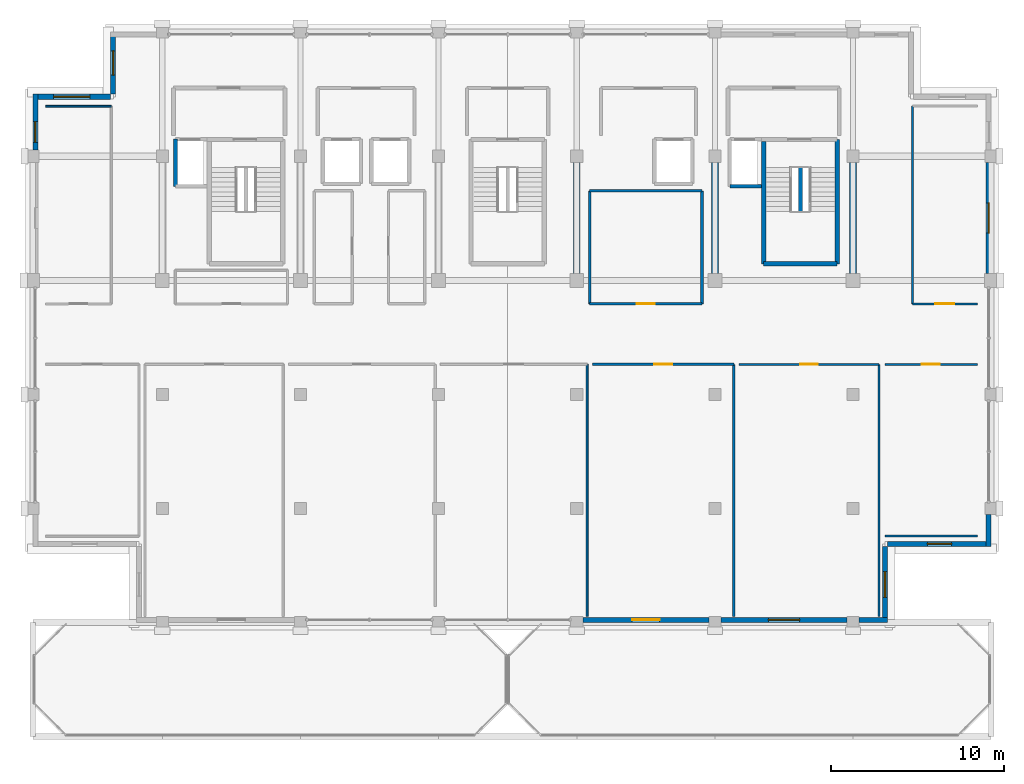
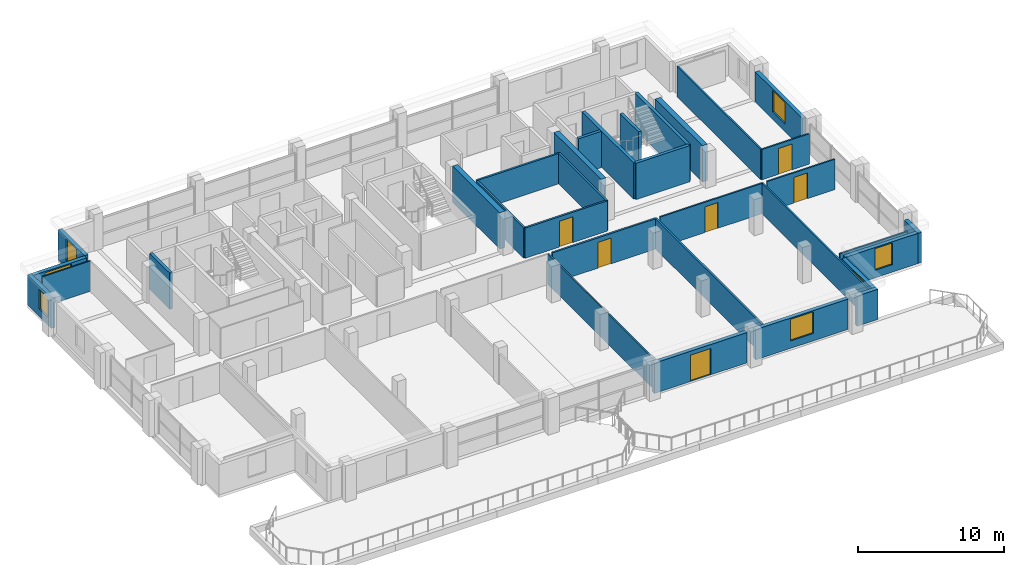
# One storey, part 17 of 21: 33 walls, 7 windows, 6 doors, 13 openings.
"""IFC4 building model written with IfcOpenShell, lengths in metres."""

from ifc_helpers import new_model, si_unit, direction, frame, frame_2d, origin, place, context, subcontext, project, spatial, rectangle, extrude, material, layer, layer_set, type_object, element, fill, save


model = new_model("IFC4")

# Units and contexts
model_context = context("Model", 3, precision=1e-05, world=origin(), true_north=direction((0.0, 1.0)))
body_context = subcontext(model_context, "Body", "Model", "MODEL_VIEW")
ifc_project = project(units=[si_unit("LENGTHUNIT", "METRE"), si_unit("AREAUNIT", "SQUARE_METRE"), si_unit("VOLUMEUNIT", "CUBIC_METRE"), si_unit("PLANEANGLEUNIT", "RADIAN"), si_unit("MASSUNIT", "GRAM", prefix="KILO")], contexts=[model_context])

# Site, building, storey
site_placement = place(None, origin())
site = spatial("IfcSite", under=ifc_project, at=site_placement, CompositionType="ELEMENT")
building_placement = place(site_placement, origin())
building = spatial("IfcBuilding", under=site, at=building_placement, Name="Akrevak Sports Hall", CompositionType="ELEMENT")
storey_placement = place(building_placement, frame((0.0, 0.0, 53.550048828125)))
storey = spatial("IfcBuildingStorey", under=building, at=storey_placement, Name="L13", CompositionType="ELEMENT", Elevation=53.550048828125)

# Wall, opening, door
ifc_material_1 = material(Name="Limestone Ashlar", Category="stone")
ifc_layer_1 = layer(ifc_material_1, 0.06005859375, Name="Limestone Ashlar")
ifc_material_2 = material(Name="Mineral Wool Thermal Insulation", Category="insulation")
ifc_layer_2 = layer(ifc_material_2, 0.090087890625, Name="Mineral Wool Thermal Insulation")
ifc_material_3 = material(Name="Concrete C40/50", Category="concrete")
ifc_layer_3 = layer(ifc_material_3, 0.14990234375, Name="Concrete C40/50")
ifc_layer_set_1 = layer_set([ifc_layer_1, ifc_layer_2, ifc_layer_3], Name="Limestone Ashlar / Mineral Wool Thermal Insulation / Concrete C40/50")
wall_type_1 = type_object("IfcWallType", Name="ARC-WL-EXT-300", PredefinedType="SOLIDWALL", material=ifc_layer_set_1)
wall_1_placement = place(storey_placement, frame((84.35009765625, 35.550048828125, 0.0), z_axis=(0.0, 0.0, 1.0), x_axis=(1.0, 0.0, 0.0)))
wall_1 = element("IfcWall", 1, at=wall_1_placement, inside=storey, type_object=wall_type_1, Name="Tower Stone Facade Wall L13-S05", PredefinedType="SOLIDWALL", context=body_context, shape_type="SweptSolid", body=[
    extrude(rectangle(XDim=7.2998046875, YDim=0.300048828125, at=frame_2d((3.64990234375, 0.0))), origin(), (0.0, 0.0, 1.0), 2.530029296875),
])
opening_1_placement = place(wall_1_placement, frame((2.85009765625, 0.0, 0.0)))
opening_1 = element("IfcOpeningElement", 2, at=opening_1_placement, cuts=wall_1, Name="Opening TD-02", PredefinedType="OPENING", context=body_context, shape_type="SweptSolid", body=[
    extrude(rectangle(XDim=1.60009765625, YDim=2.199951171875, at=frame_2d((0.800048828125, 1.10009765625))), frame((0.0, 0.162109375, 0.0), z_axis=(0.0, -1.0, 0.0), x_axis=(1.0, 0.0, 0.0)), (0.0, 0.0, 1.0), 0.323974609375),
])
ifc_material_4 = material(Name="Anodized Bronze Aluminium & Tempered Glass", Category="aluminium")
door_type_1 = type_object("IfcDoorType", Name="ARC-DR-TERR-160x220", OperationType="DOUBLE_DOOR_SINGLE_SWING", PredefinedType="DOOR", material=ifc_material_4)
door_1_placement = place(opening_1_placement, frame((1.60009765625, 0.0, 0.0), z_axis=(0.0, 0.0, 1.0), x_axis=(-1.0, 0.0, 0.0)))
door_1 = element("IfcDoor", 3, at=door_1_placement, inside=storey, type_object=door_type_1, Name="L13 South Setback Terrace Door East TD-08", OperationType="DOUBLE_DOOR_SINGLE_SWING", OverallHeight=2.199951171875, OverallWidth=1.60009765625, PredefinedType="DOOR", context=body_context, shape_type="SweptSolid", body=[
    extrude(rectangle(XDim=1.60009765625, YDim=2.199951171875, at=frame_2d((0.800048828125, 1.10009765625))), frame((0.0, 0.02490234375, 0.0), z_axis=(0.0, -1.0, 0.0), x_axis=(1.0, 0.0, 0.0)), (0.0, 0.0, 1.0), 0.050048828125),
])
fill(opening_1, door_1)

# Wall, opening, window
wall_2_placement = place(storey_placement, frame((92.35009765625, 35.550048828125, 0.0), z_axis=(0.0, 0.0, 1.0), x_axis=(1.0, 0.0, 0.0)))
wall_2 = element("IfcWall", 4, at=wall_2_placement, inside=storey, type_object=wall_type_1, Name="Tower Stone Facade Wall L13-S06", PredefinedType="SOLIDWALL", context=body_context, shape_type="SweptSolid", body=[
    extrude(rectangle(XDim=7.2998046875, YDim=0.300048828125, at=frame_2d((3.64990234375, 0.0))), origin(), (0.0, 0.0, 1.0), 2.530029296875),
])
opening_2_placement = place(wall_2_placement, frame((2.75, 0.0, 0.6201171875)))
opening_2 = element("IfcOpeningElement", 5, at=opening_2_placement, cuts=wall_2, Name="Opening WN-54", PredefinedType="OPENING", context=body_context, shape_type="SweptSolid", body=[
    extrude(rectangle(XDim=1.800048828125, YDim=1.81005859375, at=frame_2d((0.89990234375, 0.905029296875))), frame((0.0, 0.162109375, 0.0), z_axis=(0.0, -1.0, 0.0), x_axis=(1.0, 0.0, 0.0)), (0.0, 0.0, 1.0), 0.323974609375),
])
ifc_material_5 = material(Name="Thermally Broken Bronze Frame & Double Low-E Glass", Category="glass")
window_type_1 = type_object("IfcWindowType", Name="ARC-WIN-SZ-1800x1810", PartitioningType="SINGLE_PANEL", PredefinedType="WINDOW", material=ifc_material_5)
window_1_placement = place(opening_2_placement, origin())
window_1 = element("IfcWindow", 6, at=window_1_placement, inside=storey, type_object=window_type_1, Name="Tower Window L13-S06", OverallHeight=1.81005859375, OverallWidth=1.800048828125, PartitioningType="SINGLE_PANEL", PredefinedType="WINDOW", context=body_context, shape_type="SweptSolid", body=[
    extrude(rectangle(XDim=1.800048828125, YDim=1.81005859375, at=frame_2d((0.89990234375, 0.905029296875))), frame((0.0, 0.030029296875, 0.0), z_axis=(0.0, -1.0, 0.0), x_axis=(1.0, 0.0, 0.0)), (0.0, 0.0, 1.0), 0.06005859375),
])
fill(opening_2, window_1)

# Wall
wall_3_placement = place(storey_placement, frame((100.35009765625, 35.550048828125, 0.0), z_axis=(0.0, 0.0, 1.0), x_axis=(1.0, 0.0, 0.0)))
element("IfcWall", 7, at=wall_3_placement, inside=storey, type_object=wall_type_1, Name="Tower Stone Facade Wall L13-S07", PredefinedType="SOLIDWALL", context=body_context, shape_type="SweptSolid", body=[
    extrude(rectangle(XDim=1.64990234375, YDim=0.300048828125, at=frame_2d((0.824951171875, 0.0))), origin(), (0.0, 0.0, 1.0), 2.530029296875),
])

# Wall, opening, window
wall_4_placement = place(storey_placement, frame((101.85009765625, 35.39990234375, 0.0), z_axis=(0.0, 0.0, 1.0), x_axis=(0.0, 1.0, 0.0)))
wall_4 = element("IfcWall", 8, at=wall_4_placement, inside=storey, type_object=wall_type_1, Name="Tower Stone Facade Wall L13-E08", PredefinedType="SOLIDWALL", context=body_context, shape_type="SweptSolid", body=[
    extrude(rectangle(XDim=4.400146484375, YDim=0.300048828125, at=frame_2d((2.2001953125, 0.0))), origin(), (0.0, 0.0, 1.0), 2.530029296875),
])
opening_3_placement = place(wall_4_placement, frame((1.449951171875, 0.0, 0.6201171875)))
opening_3 = element("IfcOpeningElement", 9, at=opening_3_placement, cuts=wall_4, Name="Opening WN-48", PredefinedType="OPENING", context=body_context, shape_type="SweptSolid", body=[
    extrude(rectangle(XDim=1.5, YDim=1.81005859375, at=frame_2d((0.75, 0.905029296875))), frame((0.0, 0.162109375, 0.0), z_axis=(0.0, -1.0, 0.0), x_axis=(1.0, 0.0, 0.0)), (0.0, 0.0, 1.0), 0.323974609375),
])
window_type_2 = type_object("IfcWindowType", Name="ARC-WIN-SZ-1500x1810", PartitioningType="SINGLE_PANEL", PredefinedType="WINDOW", material=ifc_material_5)
window_2_placement = place(opening_3_placement, origin())
window_2 = element("IfcWindow", 10, at=window_2_placement, inside=storey, type_object=window_type_2, Name="Tower Window L13-E08", OverallHeight=1.81005859375, OverallWidth=1.5, PartitioningType="SINGLE_PANEL", PredefinedType="WINDOW", context=body_context, shape_type="SweptSolid", body=[
    extrude(rectangle(XDim=1.5, YDim=1.81005859375, at=frame_2d((0.75, 0.905029296875))), frame((0.0, 0.030029296875, 0.0), z_axis=(0.0, -1.0, 0.0), x_axis=(1.0, 0.0, 0.0)), (0.0, 0.0, 1.0), 0.06005859375),
])
fill(opening_3, window_2)

wall_5_placement = place(storey_placement, frame((102.0, 39.949951171875, 0.0), z_axis=(0.0, 0.0, 1.0), x_axis=(1.0, 0.0, 0.0)))
wall_5 = element("IfcWall", 11, at=wall_5_placement, inside=storey, type_object=wall_type_1, Name="Tower Stone Facade Wall L13-S09", PredefinedType="SOLIDWALL", context=body_context, shape_type="SweptSolid", body=[
    extrude(rectangle(XDim=6.0, YDim=0.300048828125, at=frame_2d((3.0, 0.0))), origin(), (0.0, 0.0, 1.0), 2.530029296875),
])
opening_4_placement = place(wall_5_placement, frame((2.300048828125, 0.0, 0.6201171875)))
opening_4 = element("IfcOpeningElement", 12, at=opening_4_placement, cuts=wall_5, Name="Opening WN-49", PredefinedType="OPENING", context=body_context, shape_type="SweptSolid", body=[
    extrude(rectangle(XDim=1.39990234375, YDim=1.81005859375, at=frame_2d((0.699951171875, 0.905029296875))), frame((0.0, 0.162109375, 0.0), z_axis=(0.0, -1.0, 0.0), x_axis=(1.0, 0.0, 0.0)), (0.0, 0.0, 1.0), 0.323974609375),
])
window_type_3 = type_object("IfcWindowType", Name="ARC-WIN-SZ-1400x1810", PartitioningType="SINGLE_PANEL", PredefinedType="WINDOW", material=ifc_material_5)
window_3_placement = place(opening_4_placement, origin())
window_3 = element("IfcWindow", 13, at=window_3_placement, inside=storey, type_object=window_type_3, Name="Tower Window L13-S09", OverallHeight=1.81005859375, OverallWidth=1.39990234375, PartitioningType="SINGLE_PANEL", PredefinedType="WINDOW", context=body_context, shape_type="SweptSolid", body=[
    extrude(rectangle(XDim=1.39990234375, YDim=1.81005859375, at=frame_2d((0.699951171875, 0.905029296875))), frame((0.0, 0.030029296875, 0.0), z_axis=(0.0, -1.0, 0.0), x_axis=(1.0, 0.0, 0.0)), (0.0, 0.0, 1.0), 0.06005859375),
])
fill(opening_4, window_3)

# Wall
wall_6_placement = place(storey_placement, frame((107.85009765625, 39.800048828125, 0.0), z_axis=(0.0, 0.0, 1.0), x_axis=(0.0, 1.0, 0.0)))
element("IfcWall", 14, at=wall_6_placement, inside=storey, type_object=wall_type_1, Name="Tower Stone Facade Wall L13-E10", PredefinedType="SOLIDWALL", context=body_context, shape_type="SweptSolid", body=[
    extrude(rectangle(XDim=1.849853515625, YDim=0.300048828125, at=frame_2d((0.9248046875, 0.0))), origin(), (0.0, 0.0, 1.0), 2.530029296875),
])

# Wall, opening, window
wall_7_placement = place(storey_placement, frame((107.85009765625, 55.60009765625, 0.0), z_axis=(0.0, 0.0, 1.0), x_axis=(0.0, 1.0, 0.0)))
wall_7 = element("IfcWall", 15, at=wall_7_placement, inside=storey, type_object=wall_type_1, Name="Tower Stone Facade Wall L13-E13", PredefinedType="SOLIDWALL", context=body_context, shape_type="SweptSolid", body=[
    extrude(rectangle(XDim=6.449951171875, YDim=0.300048828125, at=frame_2d((3.22509765625, 0.0))), origin(), (0.0, 0.0, 1.0), 2.530029296875),
])
opening_5_placement = place(wall_7_placement, frame((2.35009765625, 0.0, 0.6201171875)))
opening_5 = element("IfcOpeningElement", 16, at=opening_5_placement, cuts=wall_7, Name="Opening WN-56", PredefinedType="OPENING", context=body_context, shape_type="SweptSolid", body=[
    extrude(rectangle(XDim=1.75, YDim=1.81005859375, at=frame_2d((0.875, 0.905029296875))), frame((0.0, 0.162109375, 0.0), z_axis=(0.0, -1.0, 0.0), x_axis=(1.0, 0.0, 0.0)), (0.0, 0.0, 1.0), 0.323974609375),
])
window_type_4 = type_object("IfcWindowType", Name="ARC-WIN-SZ-1750x1810", PartitioningType="SINGLE_PANEL", PredefinedType="WINDOW", material=ifc_material_5)
window_4_placement = place(opening_5_placement, origin())
window_4 = element("IfcWindow", 17, at=window_4_placement, inside=storey, type_object=window_type_4, Name="Tower Window L13-E13", OverallHeight=1.81005859375, OverallWidth=1.75, PartitioningType="SINGLE_PANEL", PredefinedType="WINDOW", context=body_context, shape_type="SweptSolid", body=[
    extrude(rectangle(XDim=1.75, YDim=1.81005859375, at=frame_2d((0.875, 0.905029296875))), frame((0.0, 0.030029296875, 0.0), z_axis=(0.0, -1.0, 0.0), x_axis=(1.0, 0.0, 0.0)), (0.0, 0.0, 1.0), 0.06005859375),
])
fill(opening_5, window_4)

wall_8_placement = place(storey_placement, frame((57.14990234375, 69.60009765625, 0.0), z_axis=(0.0, 0.0, 1.0), x_axis=(0.0, -1.0, 0.0)))
wall_8 = element("IfcWall", 18, at=wall_8_placement, inside=storey, type_object=wall_type_1, Name="Tower Stone Facade Wall L13-W24", PredefinedType="SOLIDWALL", context=body_context, shape_type="SweptSolid", body=[
    extrude(rectangle(XDim=3.60009765625, YDim=0.300048828125, at=frame_2d((1.800048828125, 0.0))), origin(), (0.0, 0.0, 1.0), 2.530029296875),
])
opening_6_placement = place(wall_8_placement, frame((1.10009765625, 0.0, 0.6201171875)))
opening_6 = element("IfcOpeningElement", 19, at=opening_6_placement, cuts=wall_8, Name="Opening WN-49", PredefinedType="OPENING", context=body_context, shape_type="SweptSolid", body=[
    extrude(rectangle(XDim=1.39990234375, YDim=1.81005859375, at=frame_2d((0.699951171875, 0.905029296875))), frame((0.0, 0.162109375, 0.0), z_axis=(0.0, -1.0, 0.0), x_axis=(1.0, 0.0, 0.0)), (0.0, 0.0, 1.0), 0.323974609375),
])
window_5_placement = place(opening_6_placement, origin())
window_5 = element("IfcWindow", 20, at=window_5_placement, inside=storey, type_object=window_type_3, Name="Tower Window L13-W24", OverallHeight=1.81005859375, OverallWidth=1.39990234375, PartitioningType="SINGLE_PANEL", PredefinedType="WINDOW", context=body_context, shape_type="SweptSolid", body=[
    extrude(rectangle(XDim=1.39990234375, YDim=1.81005859375, at=frame_2d((0.699951171875, 0.905029296875))), frame((0.0, 0.030029296875, 0.0), z_axis=(0.0, -1.0, 0.0), x_axis=(1.0, 0.0, 0.0)), (0.0, 0.0, 1.0), 0.06005859375),
])
fill(opening_6, window_5)

wall_9_placement = place(storey_placement, frame((57.0, 65.85009765625, 0.0), z_axis=(0.0, 0.0, 1.0), x_axis=(-1.0, 0.0, 0.0)))
wall_9 = element("IfcWall", 21, at=wall_9_placement, inside=storey, type_object=wall_type_1, Name="Tower Stone Facade Wall L13-N25", PredefinedType="SOLIDWALL", context=body_context, shape_type="SweptSolid", body=[
    extrude(rectangle(XDim=4.5, YDim=0.300048828125, at=frame_2d((2.25, 0.0))), origin(), (0.0, 0.0, 1.0), 2.530029296875),
])
opening_7_placement = place(wall_9_placement, frame((1.199951171875, 0.0, 0.6201171875)))
opening_7 = element("IfcOpeningElement", 22, at=opening_7_placement, cuts=wall_9, Name="Opening WN-55", PredefinedType="OPENING", context=body_context, shape_type="SweptSolid", body=[
    extrude(rectangle(XDim=2.10009765625, YDim=1.81005859375, at=frame_2d((1.050048828125, 0.905029296875))), frame((0.0, 0.162109375, 0.0), z_axis=(0.0, -1.0, 0.0), x_axis=(1.0, 0.0, 0.0)), (0.0, 0.0, 1.0), 0.323974609375),
])
window_type_5 = type_object("IfcWindowType", Name="ARC-WIN-SZ-2100x1810", PartitioningType="SINGLE_PANEL", PredefinedType="WINDOW", material=ifc_material_5)
window_6_placement = place(opening_7_placement, origin())
window_6 = element("IfcWindow", 23, at=window_6_placement, inside=storey, type_object=window_type_5, Name="Tower Window L13-N25", OverallHeight=1.81005859375, OverallWidth=2.10009765625, PartitioningType="SINGLE_PANEL", PredefinedType="WINDOW", context=body_context, shape_type="SweptSolid", body=[
    extrude(rectangle(XDim=2.10009765625, YDim=1.81005859375, at=frame_2d((1.050048828125, 0.905029296875))), frame((0.0, 0.030029296875, 0.0), z_axis=(0.0, -1.0, 0.0), x_axis=(1.0, 0.0, 0.0)), (0.0, 0.0, 1.0), 0.06005859375),
])
fill(opening_7, window_6)

wall_10_placement = place(storey_placement, frame((52.64990234375, 66.0, 0.0), z_axis=(0.0, 0.0, 1.0), x_axis=(0.0, -1.0, 0.0)))
wall_10 = element("IfcWall", 24, at=wall_10_placement, inside=storey, type_object=wall_type_1, Name="Tower Stone Facade Wall L13-W26", PredefinedType="SOLIDWALL", context=body_context, shape_type="SweptSolid", body=[
    extrude(rectangle(XDim=3.25, YDim=0.300048828125, at=frame_2d((1.625, 0.0))), origin(), (0.0, 0.0, 1.0), 2.530029296875),
])
opening_8_placement = place(wall_10_placement, frame((1.60009765625, 0.0, 0.6201171875)))
opening_8 = element("IfcOpeningElement", 25, at=opening_8_placement, cuts=wall_10, Name="Opening WN-45", PredefinedType="OPENING", context=body_context, shape_type="SweptSolid", body=[
    extrude(rectangle(XDim=1.199951171875, YDim=1.64990234375, at=frame_2d((0.60009765625, 0.824951171875))), frame((0.0, 0.162109375, 0.0), z_axis=(0.0, -1.0, 0.0), x_axis=(1.0, 0.0, 0.0)), (0.0, 0.0, 1.0), 0.323974609375),
])
window_type_6 = type_object("IfcWindowType", Name="ARC-WIN-SZ-1200x1650", PartitioningType="SINGLE_PANEL", PredefinedType="WINDOW", material=ifc_material_5)
window_7_placement = place(opening_8_placement, origin())
window_7 = element("IfcWindow", 26, at=window_7_placement, inside=storey, type_object=window_type_6, Name="Tower Window L13-W26", OverallHeight=1.64990234375, OverallWidth=1.199951171875, PartitioningType="SINGLE_PANEL", PredefinedType="WINDOW", context=body_context, shape_type="SweptSolid", body=[
    extrude(rectangle(XDim=1.199951171875, YDim=1.64990234375, at=frame_2d((0.60009765625, 0.824951171875))), frame((0.0, 0.030029296875, 0.0), z_axis=(0.0, -1.0, 0.0), x_axis=(1.0, 0.0, 0.0)), (0.0, 0.0, 1.0), 0.06005859375),
])
fill(opening_8, window_7)

# Walls
ifc_material_6 = material(Name="Sanitary Cubicle Partition", Category="gypsum")
ifc_layer_4 = layer(ifc_material_6, 0.10009765625, Name="Sanitary Cubicle Partition")
ifc_layer_set_2 = layer_set([ifc_layer_4], Name="Sanitary Cubicle Partition")
wall_type_2 = type_object("IfcWallType", Name="ARC-WL-PRT-100", PredefinedType="PARTITIONING", material=ifc_layer_set_2)
wall_11_placement = place(storey_placement, frame((53.25, 65.300048828125, 0.0), z_axis=(0.0, 0.0, 1.0), x_axis=(1.0, 0.0, 0.0)))
element("IfcWall", 27, at=wall_11_placement, inside=storey, type_object=wall_type_2, Name="Interior Partition Federation Records Office West (L13) (N)", PredefinedType="PARTITIONING", context=body_context, shape_type="SweptSolid", body=[
    extrude(rectangle(XDim=3.800048828125, YDim=0.10009765625, at=frame_2d((1.89990234375, 0.0))), origin(), (0.0, 0.0, 1.0), 2.530029296875),
])
ifc_material_7 = material(Name="Lightweight Office Partition", Category="gypsum")
ifc_layer_5 = layer(ifc_material_7, 0.110107421875, Name="Lightweight Office Partition")
ifc_layer_set_3 = layer_set([ifc_layer_5], Name="Lightweight Office Partition")
wall_type_3 = type_object("IfcWallType", Name="ARC-WL-PRT-110", PredefinedType="PARTITIONING", material=ifc_layer_set_3)
wall_12_placement = place(storey_placement, frame((84.60009765625, 35.75, 0.0), z_axis=(0.0, 0.0, 1.0), x_axis=(0.0, 1.0, 0.0)))
element("IfcWall", 28, at=wall_12_placement, inside=storey, type_object=wall_type_3, Name="Interior Partition Youth Sports Development Academy (L13) (E)", PredefinedType="PARTITIONING", context=body_context, shape_type="SweptSolid", body=[
    extrude(rectangle(XDim=14.60009765625, YDim=0.110107421875, at=frame_2d((7.300048828125, 0.0))), origin(), (0.0, 0.0, 1.0), 2.530029296875),
])

# Wall, opening, door
ifc_material_8 = material(Name="Standard Metal Stud Partition", Category="gypsum")
ifc_layer_6 = layer(ifc_material_8, 0.1201171875, Name="Standard Metal Stud Partition")
ifc_layer_set_4 = layer_set([ifc_layer_6], Name="Standard Metal Stud Partition")
wall_type_4 = type_object("IfcWallType", Name="ARC-WL-PRT-120", PredefinedType="PARTITIONING", material=ifc_layer_set_4)
wall_13_placement = place(storey_placement, frame((93.39990234375, 50.35009765625, 0.0), z_axis=(0.0, 0.0, 1.0), x_axis=(1.0, 0.0, 0.0)))
wall_13 = element("IfcWall", 29, at=wall_13_placement, inside=storey, type_object=wall_type_4, Name="Interior Partition Disciplinary Tribunal Chamber (L13) (N)", PredefinedType="PARTITIONING", context=body_context, shape_type="SweptSolid", body=[
    extrude(rectangle(XDim=8.10009765625, YDim=0.1201171875, at=frame_2d((4.050048828125, 0.0))), origin(), (0.0, 0.0, 1.0), 2.530029296875),
])
opening_9_placement = place(wall_13_placement, frame((3.550048828125, 0.0, 0.0)))
opening_9 = element("IfcOpeningElement", 30, at=opening_9_placement, cuts=wall_13, Name="Opening ID-06", PredefinedType="OPENING", context=body_context, shape_type="SweptSolid", body=[
    extrude(rectangle(XDim=1.0, YDim=2.14990234375, at=frame_2d((0.5, 1.074951171875))), frame((0.0, 0.072021484375, 0.0), z_axis=(0.0, -1.0, 0.0), x_axis=(1.0, 0.0, 0.0)), (0.0, 0.0, 1.0), 0.14404296875),
])
ifc_material_9 = material(Name="Hardwood Oak Acoustic Leaf", Category="wood")
door_type_2 = type_object("IfcDoorType", Name="ARC-DR-OFF-100x215", OperationType="NOTDEFINED", PredefinedType="DOOR", material=ifc_material_9)
door_2_placement = place(opening_9_placement, origin())
door_2 = element("IfcDoor", 31, at=door_2_placement, inside=storey, type_object=door_type_2, Name="Door to Disciplinary Tribunal Chamber (L13)", OperationType="SINGLE_SWING_RIGHT", OverallHeight=2.14990234375, OverallWidth=1.0, PredefinedType="DOOR", context=body_context, shape_type="SweptSolid", body=[
    extrude(rectangle(XDim=1.0, YDim=2.14990234375, at=frame_2d((0.5, 1.074951171875))), frame((0.0, 0.02490234375, 0.0), z_axis=(0.0, -1.0, 0.0), x_axis=(1.0, 0.0, 0.0)), (0.0, 0.0, 1.0), 0.050048828125),
])
fill(opening_9, door_2)

# Walls
wall_14_placement = place(storey_placement, frame((101.5, 35.75, 0.0), z_axis=(0.0, 0.0, 1.0), x_axis=(0.0, 1.0, 0.0)))
element("IfcWall", 32, at=wall_14_placement, inside=storey, type_object=wall_type_4, Name="Interior Partition Disciplinary Tribunal Chamber (L13) (E)", PredefinedType="PARTITIONING", context=body_context, shape_type="SweptSolid", body=[
    extrude(rectangle(XDim=14.60009765625, YDim=0.1201171875, at=frame_2d((7.300048828125, 0.0))), origin(), (0.0, 0.0, 1.0), 2.530029296875),
])
wall_15_placement = place(storey_placement, frame((101.85009765625, 40.39990234375, 0.0), z_axis=(0.0, 0.0, 1.0), x_axis=(1.0, 0.0, 0.0)))
element("IfcWall", 33, at=wall_15_placement, inside=storey, type_object=wall_type_4, Name="Interior Partition Athletic Compliance Office East (L13) (S)", PredefinedType="PARTITIONING", context=body_context, shape_type="SweptSolid", body=[
    extrude(rectangle(XDim=5.349853515625, YDim=0.1201171875, at=frame_2d((2.6748046875, 0.0))), origin(), (0.0, 0.0, 1.0), 2.530029296875),
])

# Wall, opening, door
wall_16_placement = place(storey_placement, frame((101.85009765625, 50.35009765625, 0.0), z_axis=(0.0, 0.0, 1.0), x_axis=(1.0, 0.0, 0.0)))
wall_16 = element("IfcWall", 34, at=wall_16_placement, inside=storey, type_object=wall_type_4, Name="Interior Partition Athletic Compliance Office East (L13) (N)", PredefinedType="PARTITIONING", context=body_context, shape_type="SweptSolid", body=[
    extrude(rectangle(XDim=5.349853515625, YDim=0.1201171875, at=frame_2d((2.6748046875, 0.0))), origin(), (0.0, 0.0, 1.0), 2.530029296875),
])
opening_10_placement = place(wall_16_placement, frame((2.125, 0.0, 0.0)))
opening_10 = element("IfcOpeningElement", 35, at=opening_10_placement, cuts=wall_16, Name="Opening ID-05", PredefinedType="OPENING", context=body_context, shape_type="SweptSolid", body=[
    extrude(rectangle(XDim=1.050048828125, YDim=2.14990234375, at=frame_2d((0.52490234375, 1.074951171875))), frame((0.0, 0.072021484375, 0.0), z_axis=(0.0, -1.0, 0.0), x_axis=(1.0, 0.0, 0.0)), (0.0, 0.0, 1.0), 0.14404296875),
])
door_type_3 = type_object("IfcDoorType", Name="ARC-DR-OFF-105x215", OperationType="NOTDEFINED", PredefinedType="DOOR", material=ifc_material_9)
door_3_placement = place(opening_10_placement, frame((1.050048828125, 0.0, 0.0), z_axis=(0.0, 0.0, 1.0), x_axis=(-1.0, 0.0, 0.0)))
door_3 = element("IfcDoor", 36, at=door_3_placement, inside=storey, type_object=door_type_3, Name="Door to Athletic Compliance Office East (L13)", OperationType="SINGLE_SWING_RIGHT", OverallHeight=2.14990234375, OverallWidth=1.050048828125, PredefinedType="DOOR", context=body_context, shape_type="SweptSolid", body=[
    extrude(rectangle(XDim=1.050048828125, YDim=2.14990234375, at=frame_2d((0.52490234375, 1.074951171875))), frame((0.0, 0.02490234375, 0.0), z_axis=(0.0, -1.0, 0.0), x_axis=(1.0, 0.0, 0.0)), (0.0, 0.0, 1.0), 0.050048828125),
])
fill(opening_10, door_3)

wall_17_placement = place(storey_placement, frame((103.449951171875, 53.85009765625, 0.0), z_axis=(0.0, 0.0, 1.0), x_axis=(1.0, 0.0, 0.0)))
wall_17 = element("IfcWall", 37, at=wall_17_placement, inside=storey, type_object=wall_type_4, Name="Interior Partition Sports Science Research Office (L13) (S)", PredefinedType="PARTITIONING", context=body_context, shape_type="SweptSolid", body=[
    extrude(rectangle(XDim=3.75, YDim=0.1201171875, at=frame_2d((1.875, 0.0))), origin(), (0.0, 0.0, 1.0), 2.530029296875),
])
opening_11_placement = place(wall_17_placement, frame((1.300048828125, 0.0, 0.0)))
opening_11 = element("IfcOpeningElement", 38, at=opening_11_placement, cuts=wall_17, Name="Opening ID-04", PredefinedType="OPENING", context=body_context, shape_type="SweptSolid", body=[
    extrude(rectangle(XDim=1.10009765625, YDim=2.14990234375, at=frame_2d((0.550048828125, 1.074951171875))), frame((0.0, 0.072021484375, 0.0), z_axis=(0.0, -1.0, 0.0), x_axis=(1.0, 0.0, 0.0)), (0.0, 0.0, 1.0), 0.14404296875),
])
door_type_4 = type_object("IfcDoorType", Name="ARC-DR-OFF-110x215", OperationType="NOTDEFINED", PredefinedType="DOOR", material=ifc_material_9)
door_4_placement = place(opening_11_placement, frame((1.10009765625, 0.0, 0.0), z_axis=(0.0, 0.0, 1.0), x_axis=(-1.0, 0.0, 0.0)))
door_4 = element("IfcDoor", 39, at=door_4_placement, inside=storey, type_object=door_type_4, Name="Door to Sports Science Research Office (L13)", OperationType="SINGLE_SWING_RIGHT", OverallHeight=2.14990234375, OverallWidth=1.10009765625, PredefinedType="DOOR", context=body_context, shape_type="SweptSolid", body=[
    extrude(rectangle(XDim=1.10009765625, YDim=2.14990234375, at=frame_2d((0.550048828125, 1.074951171875))), frame((0.0, 0.02490234375, 0.0), z_axis=(0.0, -1.0, 0.0), x_axis=(1.0, 0.0, 0.0)), (0.0, 0.0, 1.0), 0.050048828125),
])
fill(opening_11, door_4)

# Wall
wall_18_placement = place(storey_placement, frame((103.449951171875, 53.85009765625, 0.0), z_axis=(0.0, 0.0, 1.0), x_axis=(0.0, 1.0, 0.0)))
element("IfcWall", 40, at=wall_18_placement, inside=storey, type_object=wall_type_4, Name="Interior Partition Sports Science Research Office (L13) (W)", PredefinedType="PARTITIONING", context=body_context, shape_type="SweptSolid", body=[
    extrude(rectangle(XDim=11.449951171875, YDim=0.1201171875, at=frame_2d((5.72509765625, 0.0))), origin(), (0.0, 0.0, 1.0), 2.530029296875),
])

# Wall, opening, door
ifc_material_10 = material(Name="Double Stud Acoustic Gypsum Partition", Category="gypsum")
ifc_layer_7 = layer(ifc_material_10, 0.14990234375, Name="Double Stud Acoustic Gypsum Partition")
ifc_layer_set_5 = layer_set([ifc_layer_7], Name="Double Stud Acoustic Gypsum Partition")
wall_type_5 = type_object("IfcWallType", Name="ARC-WL-PRT-150", PredefinedType="PARTITIONING", material=ifc_layer_set_5)
wall_19_placement = place(storey_placement, frame((84.89990234375, 50.35009765625, 0.0), z_axis=(0.0, 0.0, 1.0), x_axis=(1.0, 0.0, 0.0)))
wall_19 = element("IfcWall", 41, at=wall_19_placement, inside=storey, type_object=wall_type_5, Name="Interior Partition Coaching Certification Classroom (L13) (N)", PredefinedType="PARTITIONING", context=body_context, shape_type="SweptSolid", body=[
    extrude(rectangle(XDim=8.2001953125, YDim=0.14990234375, at=frame_2d((4.10009765625, 0.0))), origin(), (0.0, 0.0, 1.0), 2.530029296875),
])
opening_12_placement = place(wall_19_placement, frame((3.574951171875, 0.0, 0.0)))
opening_12 = element("IfcOpeningElement", 42, at=opening_12_placement, cuts=wall_19, Name="Opening ID-05", PredefinedType="OPENING", context=body_context, shape_type="SweptSolid", body=[
    extrude(rectangle(XDim=1.050048828125, YDim=2.14990234375, at=frame_2d((0.52490234375, 1.074951171875))), frame((0.0, 0.0869140625, 0.0), z_axis=(0.0, -1.0, 0.0), x_axis=(1.0, 0.0, 0.0)), (0.0, 0.0, 1.0), 0.173828125),
])
door_5_placement = place(opening_12_placement, origin())
door_5 = element("IfcDoor", 43, at=door_5_placement, inside=storey, type_object=door_type_3, Name="Door to Coaching Certification Classroom (L13)", OperationType="SINGLE_SWING_LEFT", OverallHeight=2.14990234375, OverallWidth=1.050048828125, PredefinedType="DOOR", context=body_context, shape_type="SweptSolid", body=[
    extrude(rectangle(XDim=1.050048828125, YDim=2.14990234375, at=frame_2d((0.52490234375, 1.074951171875))), frame((0.0, 0.02490234375, 0.0), z_axis=(0.0, -1.0, 0.0), x_axis=(1.0, 0.0, 0.0)), (0.0, 0.0, 1.0), 0.050048828125),
])
fill(opening_12, door_5)

# Wall
wall_20_placement = place(storey_placement, frame((93.10009765625, 35.75, 0.0), z_axis=(0.0, 0.0, 1.0), x_axis=(0.0, 1.0, 0.0)))
element("IfcWall", 44, at=wall_20_placement, inside=storey, type_object=wall_type_5, Name="Interior Partition Coaching Certification Classroom (L13) (E)", PredefinedType="PARTITIONING", context=body_context, shape_type="SweptSolid", body=[
    extrude(rectangle(XDim=14.60009765625, YDim=0.14990234375, at=frame_2d((7.300048828125, 0.0))), origin(), (0.0, 0.0, 1.0), 2.530029296875),
])

# Wall, opening, door
wall_21_placement = place(storey_placement, frame((84.75, 53.85009765625, 0.0), z_axis=(0.0, 0.0, 1.0), x_axis=(1.0, 0.0, 0.0)))
wall_21 = element("IfcWall", 45, at=wall_21_placement, inside=storey, type_object=wall_type_5, Name="Interior Partition Federation Officiating Office East (L13) (S)", PredefinedType="PARTITIONING", context=body_context, shape_type="SweptSolid", body=[
    extrude(rectangle(XDim=6.5, YDim=0.14990234375, at=frame_2d((3.25, 0.0))), origin(), (0.0, 0.0, 1.0), 2.530029296875),
])
opening_13_placement = place(wall_21_placement, frame((2.72509765625, 0.0, 0.0)))
opening_13 = element("IfcOpeningElement", 46, at=opening_13_placement, cuts=wall_21, Name="Opening ID-05", PredefinedType="OPENING", context=body_context, shape_type="SweptSolid", body=[
    extrude(rectangle(XDim=1.050048828125, YDim=2.14990234375, at=frame_2d((0.52490234375, 1.074951171875))), frame((0.0, 0.0869140625, 0.0), z_axis=(0.0, -1.0, 0.0), x_axis=(1.0, 0.0, 0.0)), (0.0, 0.0, 1.0), 0.173828125),
])
door_6_placement = place(opening_13_placement, origin())
door_6 = element("IfcDoor", 47, at=door_6_placement, inside=storey, type_object=door_type_3, Name="Door to Federation Officiating Office East (L13)", OperationType="SINGLE_SWING_LEFT", OverallHeight=2.14990234375, OverallWidth=1.050048828125, PredefinedType="DOOR", context=body_context, shape_type="SweptSolid", body=[
    extrude(rectangle(XDim=1.050048828125, YDim=2.14990234375, at=frame_2d((0.52490234375, 1.074951171875))), frame((0.0, 0.02490234375, 0.0), z_axis=(0.0, -1.0, 0.0), x_axis=(1.0, 0.0, 0.0)), (0.0, 0.0, 1.0), 0.050048828125),
])
fill(opening_13, door_6)

# Walls
wall_22_placement = place(storey_placement, frame((84.75, 60.39990234375, 0.0), z_axis=(0.0, 0.0, 1.0), x_axis=(1.0, 0.0, 0.0)))
element("IfcWall", 48, at=wall_22_placement, inside=storey, type_object=wall_type_5, Name="Interior Partition Federation Officiating Office East (L13) (N)", PredefinedType="PARTITIONING", context=body_context, shape_type="SweptSolid", body=[
    extrude(rectangle(XDim=6.5, YDim=0.14990234375, at=frame_2d((3.25, 0.0))), origin(), (0.0, 0.0, 1.0), 2.530029296875),
])
for number, where, z_axis, x_axis, name in (
    (49, (84.75, 53.85009765625, 0.0), (0.0, 0.0, 1.0), (0.0, 1.0, 0.0), "Interior Partition Federation Officiating Office East (L13) (W)"),
    (50, (91.25, 53.85009765625, 0.0), (0.0, 0.0, 1.0), (0.0, 1.0, 0.0), "Interior Partition Federation Officiating Office East (L13) (E)"),
):
    element("IfcWall", number, at=place(storey_placement, frame(where, z_axis=z_axis, x_axis=x_axis)), inside=storey, type_object=wall_type_5, Name=name, PredefinedType="PARTITIONING", context=body_context, shape_type="SweptSolid", body=[
        extrude(rectangle(XDim=6.5498046875, YDim=0.14990234375, at=frame_2d((3.27490234375, 0.0))), origin(), (0.0, 0.0, 1.0), 2.530029296875),
    ])
ifc_layer_8 = layer(ifc_material_3, 0.219970703125, Name="Concrete C40/50")
ifc_layer_set_6 = layer_set([ifc_layer_8], Name="Concrete C40/50")
wall_type_6 = type_object("IfcWallType", Name="ARC-WL-PRT-220", PredefinedType="PARTITIONING", material=ifc_layer_set_6)
wall_23_placement = place(storey_placement, frame((96.949951171875, 59.215087890625, 0.0), z_axis=(0.0, 0.0, 1.0), x_axis=(0.0, 1.0, 0.0)))
element("IfcWall", 51, at=wall_23_placement, inside=storey, type_object=wall_type_6, Name="Stair ST2 Central Spine Wall (L13)", PredefinedType="PARTITIONING", context=body_context, shape_type="SweptSolid", body=[
    extrude(rectangle(XDim=2.52001953125, YDim=0.219970703125, at=frame_2d((1.260009765625, 0.0))), origin(), (0.0, 0.0, 1.0), 3.030029296875),
])
ifc_material_11 = material(Name="Concrete C50/60", Category="concrete")
ifc_layer_9 = layer(ifc_material_11, 0.219970703125, Name="Concrete C50/60")
ifc_layer_set_7 = layer_set([ifc_layer_9], Name="Concrete C50/60")
wall_type_7 = type_object("IfcWallType", Name="ARC-WL-SHAFT-220", PredefinedType="SHEAR", material=ifc_layer_set_7)
wall_24_placement = place(storey_placement, frame((60.760009765625, 63.389892578125, 0.0), z_axis=(0.0, 0.0, 1.0), x_axis=(0.0, -1.0, 0.0)))
element("IfcWall", 52, at=wall_24_placement, inside=storey, type_object=wall_type_7, Name="Lift Shaft LF-FF1 Wall W (L13)", PredefinedType="SHEAR", context=body_context, shape_type="SweptSolid", body=[
    extrude(rectangle(XDim=2.72998046875, YDim=0.219970703125, at=frame_2d((1.364990234375, 0.0))), origin(), (0.0, 0.0, 1.0), 3.030029296875),
])
wall_25_placement = place(storey_placement, frame((92.860107421875, 60.659912109375, 0.0), z_axis=(0.0, 0.0, 1.0), x_axis=(1.0, 0.0, 0.0)))
element("IfcWall", 53, at=wall_25_placement, inside=storey, type_object=wall_type_7, Name="Lift Shaft LF-FF2 Wall S (L13)", PredefinedType="SHEAR", context=body_context, shape_type="SweptSolid", body=[
    extrude(rectangle(XDim=1.83984375, YDim=0.219970703125, at=frame_2d((0.919921875, 0.0))), origin(), (0.0, 0.0, 1.0), 3.030029296875),
])
ifc_layer_10 = layer(ifc_material_11, 0.39990234375, Name="Concrete C50/60")
ifc_layer_set_8 = layer_set([ifc_layer_10], Name="Concrete C50/60")
wall_type_8 = type_object("IfcWallType", Name="STR-WL-CORE-400", PredefinedType="SHEAR", material=ifc_layer_set_8)
for number, where, z_axis, x_axis, name in (
    (54, (84.0, 55.60009765625, 0.0), (0.0, 0.0, 1.0), (0.0, 1.0, 0.0), "Reinforced Concrete Shear Wall SW-C2 (L13)"),
    (55, (92.0, 55.60009765625, 0.0), (0.0, 0.0, 1.0), (0.0, 1.0, 0.0), "Reinforced Concrete Shear Wall SW-E1 (L13)"),
    (56, (100.0, 55.60009765625, 0.0), (0.0, 0.0, 1.0), (0.0, 1.0, 0.0), "Reinforced Concrete Shear Wall SW-E2 (L13)"),
):
    element("IfcWall", number, at=place(storey_placement, frame(where, z_axis=z_axis, x_axis=x_axis)), inside=storey, type_object=wall_type_8, Name=name, PredefinedType="SHEAR", context=body_context, shape_type="SweptSolid", body=[
        extrude(rectangle(XDim=6.449951171875, YDim=0.39990234375, at=frame_2d((3.22509765625, 0.0))), origin(), (0.0, 0.0, 1.0), 3.030029296875),
    ])
ifc_layer_11 = layer(ifc_material_11, 0.25, Name="Concrete C50/60")
ifc_layer_set_9 = layer_set([ifc_layer_11], Name="Concrete C50/60")
wall_type_9 = type_object("IfcWallType", Name="STR-WL-STAIR-250", PredefinedType="SHEAR", material=ifc_layer_set_9)
wall_26_placement = place(storey_placement, frame((94.824951171875, 56.175048828125, 0.0), z_axis=(0.0, 0.0, 1.0), x_axis=(1.0, 0.0, 0.0)))
element("IfcWall", 57, at=wall_26_placement, inside=storey, type_object=wall_type_9, Name="Stair Core ST2 Shear Wall S (L13)", PredefinedType="SHEAR", context=body_context, shape_type="SweptSolid", body=[
    extrude(rectangle(XDim=4.25, YDim=0.25, at=frame_2d((2.125, 0.0))), origin(), (0.0, 0.0, 1.0), 3.030029296875),
])
wall_27_placement = place(storey_placement, frame((94.824951171875, 63.25, 0.0), z_axis=(0.0, 0.0, 1.0), x_axis=(0.0, -1.0, 0.0)))
element("IfcWall", 58, at=wall_27_placement, inside=storey, type_object=wall_type_9, Name="Stair Core ST2 Shear Wall W (L13)", PredefinedType="SHEAR", context=body_context, shape_type="SweptSolid", body=[
    extrude(rectangle(XDim=7.074951171875, YDim=0.25, at=frame_2d((3.53759765625, 0.0))), origin(), (0.0, 0.0, 1.0), 3.030029296875),
])
wall_28_placement = place(storey_placement, frame((99.074951171875, 56.175048828125, 0.0), z_axis=(0.0, 0.0, 1.0), x_axis=(0.0, 1.0, 0.0)))
element("IfcWall", 59, at=wall_28_placement, inside=storey, type_object=wall_type_9, Name="Stair Core ST2 Shear Wall E (L13)", PredefinedType="SHEAR", context=body_context, shape_type="SweptSolid", body=[
    extrude(rectangle(XDim=7.199951171875, YDim=0.25, at=frame_2d((3.60009765625, 0.0))), origin(), (0.0, 0.0, 1.0), 3.030029296875),
])

save(model, "model.ifc")
